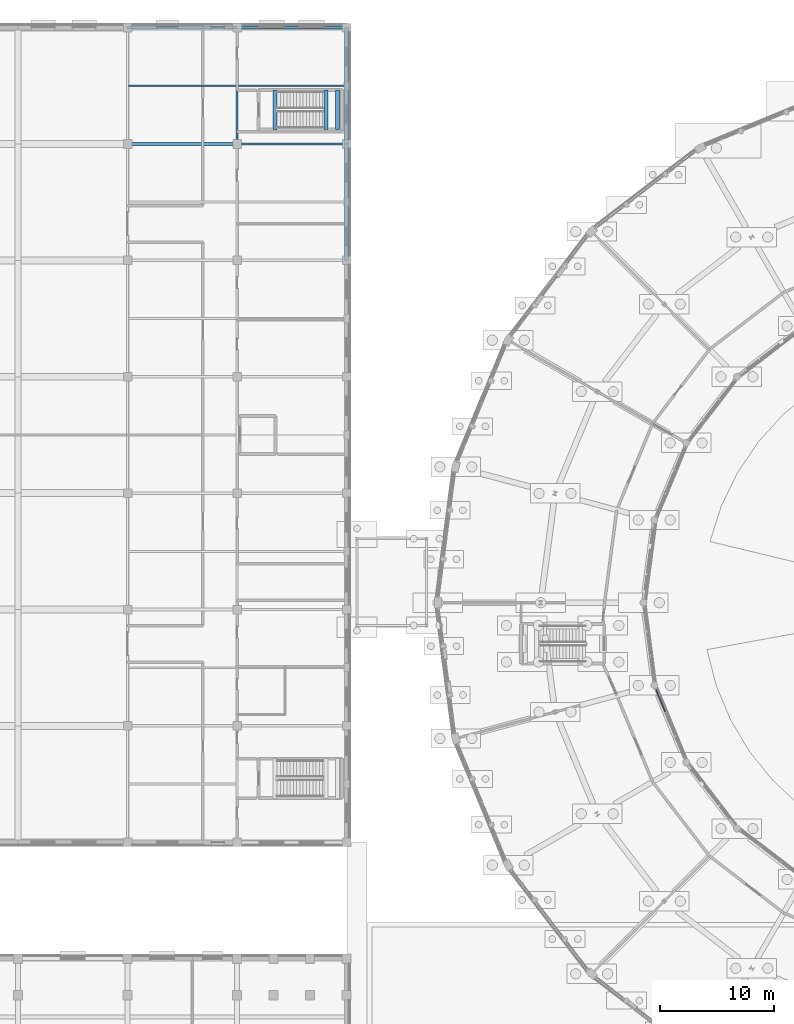
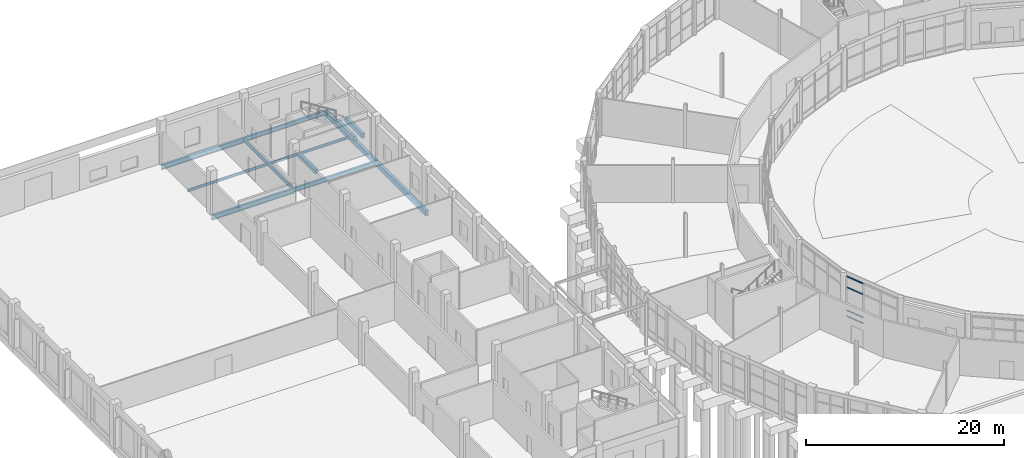
# One storey, part 52 of 137: 12 beams, 4 members, 1 element without a shape of its own.
"""IFC4 building model written with IfcOpenShell, lengths in metres."""

from ifc_helpers import new_model, si_unit, direction, frame, origin, origin_2d, place, context, subcontext, project, spatial, rectangle, hollow_rectangle, i_section, extrude, material, material_profile, profile_set, type_object, element, aggregate, save


model = new_model("IFC4")

# Units and contexts
model_context = context("Model", 3, precision=1e-05, world=origin(), true_north=direction((0.0, 1.0)))
body_context = subcontext(model_context, "Body", "Model", "MODEL_VIEW")
ifc_project = project(units=[si_unit("LENGTHUNIT", "METRE"), si_unit("AREAUNIT", "SQUARE_METRE"), si_unit("VOLUMEUNIT", "CUBIC_METRE"), si_unit("PLANEANGLEUNIT", "RADIAN"), si_unit("MASSUNIT", "GRAM", prefix="KILO")], contexts=[model_context])

# Site, building, storey
site_placement = place(None, origin())
site = spatial("IfcSite", under=ifc_project, at=site_placement, CompositionType="ELEMENT")
building_placement = place(site_placement, origin())
building = spatial("IfcBuilding", under=site, at=building_placement, Name="Vondelvale Polytechnic", CompositionType="ELEMENT")
storey_placement = place(building_placement, origin())
storey = spatial("IfcBuildingStorey", under=building, at=storey_placement, Name="L00", CompositionType="ELEMENT", Elevation=0.0)

# Beams
ifc_material_1 = material(Name="Concrete N40 (f'c = 40 MPa)", Category="concrete")
ifc_material_profile_1 = material_profile(ifc_material_1, rectangle(XDim=0.35009765625, YDim=0.550048828125, at=origin_2d()), Name="RC-BM-350x550")
ifc_profile_set_1 = profile_set([ifc_material_profile_1], Name="Concrete N40 (f'c = 40 MPa)")
beam_type_1 = type_object("IfcBeamType", Name="BM-RC350x550", PredefinedType="BEAM", material=ifc_profile_set_1)
for number, where, z_axis, x_axis, name in (
    (1, (46.199951171875, 113.449951171875, 2.22509765625), (0.0, 1.0, 0.0), (-1.0, 0.0, 0.0), "L00 STLD B-06"),
    (2, (47.199951171875, 113.449951171875, 2.22509765625), (0.0, 1.0, 0.0), (-1.0, 0.0, 0.0), "L00 STLD B-06"),
    (3, (41.72509765625, 113.449951171875, -0.27490234375), (0.0, 1.0, 0.0), (-1.0, 0.0, 0.0), "L00 STHD B-06"),
):
    element("IfcBeam", number, at=place(storey_placement, frame(where, z_axis=z_axis, x_axis=x_axis)), inside=storey, type_object=beam_type_1, Name=name, PredefinedType="BEAM", context=body_context, shape_type="SweptSolid", body=[
        extrude(rectangle(XDim=0.35009765625, YDim=0.550048828125, at=origin_2d()), origin(), (0.0, 0.0, 1.0), 3.5),
    ])
ifc_material_2 = material(Name="Steel 300PLUS (fy = 300 MPa)", Category="steel")
ifc_material_profile_2 = material_profile(ifc_material_2, i_section(OverallWidth=0.18994140625, OverallDepth=0.45703125, WebThickness=0.009033203125, FlangeThickness=0.014404296875, FilletRadius=0.011474609375, at=origin_2d()), Name="460UB74.6")
ifc_profile_set_2 = profile_set([ifc_material_profile_2], Name="Steel 300PLUS (fy = 300 MPa)")
beam_type_2 = type_object("IfcBeamType", Name="BM-UB460", PredefinedType="BEAM", material=ifc_profile_set_2)
beam_1_placement = place(storey_placement, frame((38.39990234375, 112.199951171875, -0.528564453125), z_axis=(0.0, 1.0, 0.0), x_axis=(-1.0, 0.0, 0.0)))
element("IfcBeam", 4, at=beam_1_placement, inside=storey, type_object=beam_type_2, Name="L00 B B-13", PredefinedType="BEAM", context=body_context, shape_type="SweptSolid", body=[
    extrude(i_section(OverallWidth=0.18994140625, OverallDepth=0.45703125, WebThickness=0.009033203125, FlangeThickness=0.014404296875, FilletRadius=0.011474609375, at=origin_2d()), origin(), (0.0, 0.0, 1.0), 10.199951171875),
])
ifc_material_profile_3 = material_profile(ifc_material_2, i_section(OverallWidth=0.208984375, OverallDepth=0.532958984375, WebThickness=0.01025390625, FlangeThickness=0.015625, FilletRadius=0.013916015625, at=origin_2d()), Name="530UB92.4")
ifc_profile_set_3 = profile_set([ifc_material_profile_3], Name="Steel 300PLUS (fy = 300 MPa)")
beam_type_3 = type_object("IfcBeamType", Name="BM-UB530", PredefinedType="BEAM", material=ifc_profile_set_3)
for number, where, z_axis, x_axis, name in (
    (5, (38.39990234375, 112.199951171875, -0.56640625), (1.0, 0.0, 0.0), (0.0, 1.0, 0.0), "L00 B B-11"),
    (6, (38.39990234375, 122.39990234375, -0.56640625), (1.0, 0.0, 0.0), (0.0, 1.0, 0.0), "L00 B B-11"),
):
    element("IfcBeam", number, at=place(storey_placement, frame(where, z_axis=z_axis, x_axis=x_axis)), inside=storey, type_object=beam_type_3, Name=name, PredefinedType="BEAM", context=body_context, shape_type="SweptSolid", body=[
        extrude(i_section(OverallWidth=0.208984375, OverallDepth=0.532958984375, WebThickness=0.01025390625, FlangeThickness=0.015625, FilletRadius=0.013916015625, at=origin_2d()), origin(), (0.0, 0.0, 1.0), 9.60009765625),
    ])
ifc_material_profile_4 = material_profile(ifc_material_2, i_section(OverallWidth=0.22900390625, OverallDepth=0.612060546875, WebThickness=0.011962890625, FlangeThickness=0.01953125, FilletRadius=0.013916015625, at=origin_2d()), Name="610UB125")
ifc_profile_set_4 = profile_set([ifc_material_profile_4], Name="Steel 300PLUS (fy = 300 MPa)")
beam_type_4 = type_object("IfcBeamType", Name="BM-UB610H", PredefinedType="BEAM", material=ifc_profile_set_4)
for number, where, z_axis, x_axis, name in (
    (7, (28.800048828125, 112.199951171875, -0.60595703125), (1.0, 0.0, 0.0), (0.0, 1.0, 0.0), "L00 B B-09"),
    (8, (28.800048828125, 122.39990234375, -0.60595703125), (1.0, 0.0, 0.0), (0.0, 1.0, 0.0), "L00 B B-09"),
):
    element("IfcBeam", number, at=place(storey_placement, frame(where, z_axis=z_axis, x_axis=x_axis)), inside=storey, type_object=beam_type_4, Name=name, PredefinedType="BEAM", context=body_context, shape_type="SweptSolid", body=[
        extrude(i_section(OverallWidth=0.22900390625, OverallDepth=0.612060546875, WebThickness=0.011962890625, FlangeThickness=0.01953125, FilletRadius=0.013916015625, at=origin_2d()), origin(), (0.0, 0.0, 1.0), 9.599853515625),
    ])

# Curtain wall, members
ifc_material_3 = material(Name="Anodised extruded aluminium 6063-T6", Category="aluminium")
curtain_wall_type = type_object("IfcCurtainWallType", Name="CW-RING-CLOISTER", PredefinedType="NOTDEFINED", material=ifc_material_3)
curtain_wall_placement = place(storey_placement, origin())
curtain_wall = element("IfcCurtainWall", 9, at=curtain_wall_placement, inside=storey, type_object=curtain_wall_type, Name="L00 architectural curtain wall CW-03-275", PredefinedType="NOTDEFINED")
ifc_material_profile_5 = material_profile(ifc_material_3, hollow_rectangle(XDim=0.06494140625, YDim=0.159912109375, WallThickness=0.00341796875, at=origin_2d()), Name="CW-TRN-160x65")
ifc_profile_set_5 = profile_set([ifc_material_profile_5], Name="Anodised extruded aluminium 6063-T6")
member_type = type_object("IfcMemberType", Name="CW-TRN-70x160", PredefinedType="USERDEFINED", material=ifc_profile_set_5)
member_1_placement = place(storey_placement, frame((75.107177734375, 64.383544921875, 0.032470703125), z_axis=(0.382726229306, -0.923861804277, 0.0), x_axis=(0.923861804277, 0.382726229306, 0.0)))
member_1 = element("IfcMember", 10, at=member_1_placement, type_object=member_type, Name="CW-03-275 transom 1.1", ObjectType="TRANSOM", PredefinedType="USERDEFINED", context=body_context, shape_type="SweptSolid", body=[
    extrude(hollow_rectangle(XDim=0.06494140625, YDim=0.159912109375, WallThickness=0.00341796875, at=origin_2d()), origin(), (0.0, 0.0, 1.0), 2.111328125),
])
member_2_placement = place(storey_placement, frame((75.107177734375, 64.383544921875, 0.75), z_axis=(0.382726229306, -0.923861804277, 0.0), x_axis=(0.923861804277, 0.382726229306, 0.0)))
member_2 = element("IfcMember", 11, at=member_2_placement, type_object=member_type, Name="CW-03-275 transom 1.2", ObjectType="TRANSOM", PredefinedType="USERDEFINED", context=body_context, shape_type="SweptSolid", body=[
    extrude(hollow_rectangle(XDim=0.06494140625, YDim=0.159912109375, WallThickness=0.00341796875, at=origin_2d()), origin(), (0.0, 0.0, 1.0), 2.111328125),
])
member_3_placement = place(storey_placement, frame((75.107177734375, 64.383544921875, 3.60009765625), z_axis=(0.382726229306, -0.923861804277, 0.0), x_axis=(0.923861804277, 0.382726229306, 0.0)))
member_3 = element("IfcMember", 12, at=member_3_placement, type_object=member_type, Name="CW-03-275 transom 1.3", ObjectType="TRANSOM", PredefinedType="USERDEFINED", context=body_context, shape_type="SweptSolid", body=[
    extrude(hollow_rectangle(XDim=0.06494140625, YDim=0.159912109375, WallThickness=0.00341796875, at=origin_2d()), origin(), (0.0, 0.0, 1.0), 2.111328125),
])
member_4_placement = place(storey_placement, frame((75.107177734375, 64.383544921875, 4.91748046875), z_axis=(0.382726229306, -0.923861804277, 0.0), x_axis=(0.923861804277, 0.382726229306, 0.0)))
member_4 = element("IfcMember", 13, at=member_4_placement, type_object=member_type, Name="CW-03-275 transom 1.4", ObjectType="TRANSOM", PredefinedType="USERDEFINED", context=body_context, shape_type="SweptSolid", body=[
    extrude(hollow_rectangle(XDim=0.06494140625, YDim=0.159912109375, WallThickness=0.00341796875, at=origin_2d()), origin(), (0.0, 0.0, 1.0), 2.111328125),
])
aggregate(curtain_wall, [member_1, member_2, member_3, member_4])

# Beams
ifc_material_profile_6 = material_profile(ifc_material_2, i_section(OverallWidth=0.1650390625, OverallDepth=0.303955078125, WebThickness=0.006103515625, FlangeThickness=0.01025390625, FilletRadius=0.011474609375, at=origin_2d()), Name="310UB40.4")
ifc_profile_set_6 = profile_set([ifc_material_profile_6], Name="Steel 300PLUS (fy = 300 MPa)")
beam_type_5 = type_object("IfcBeamType", Name="JST-UB310", PredefinedType="JOIST", material=ifc_profile_set_6)
beam_2_placement = place(storey_placement, frame((28.89990234375, 117.300048828125, -0.451904296875), z_axis=(1.0, 0.0, 0.0), x_axis=(0.0, 1.0, 0.0)))
element("IfcBeam", 14, at=beam_2_placement, inside=storey, type_object=beam_type_5, Name="L00 J J-05", PredefinedType="JOIST", context=body_context, shape_type="SweptSolid", body=[
    extrude(i_section(OverallWidth=0.1650390625, OverallDepth=0.303955078125, WebThickness=0.006103515625, FlangeThickness=0.01025390625, FilletRadius=0.011474609375, at=origin_2d()), origin(), (0.0, 0.0, 1.0), 9.400146484375),
])
beam_3_placement = place(storey_placement, frame((38.5, 117.300048828125, -0.451904296875), z_axis=(1.0, 0.0, 0.0), x_axis=(0.0, 1.0, 0.0)))
element("IfcBeam", 15, at=beam_3_placement, inside=storey, type_object=beam_type_5, Name="L00 J J-05", PredefinedType="JOIST", context=body_context, shape_type="SweptSolid", body=[
    extrude(i_section(OverallWidth=0.1650390625, OverallDepth=0.303955078125, WebThickness=0.006103515625, FlangeThickness=0.01025390625, FilletRadius=0.011474609375, at=origin_2d()), origin(), (0.0, 0.0, 1.0), 9.320068359375),
])
ifc_material_4 = material(Name="Precast concrete N40 (f'c = 40 MPa)", Category="concrete")
ifc_material_profile_7 = material_profile(ifc_material_4, rectangle(XDim=0.35009765625, YDim=0.64990234375, at=origin_2d()), Name="RC-SPN-350x650")
ifc_profile_set_7 = profile_set([ifc_material_profile_7], Name="Precast concrete N40 (f'c = 40 MPa)")
beam_type_6 = type_object("IfcBeamType", Name="SPN-PRE350x650", PredefinedType="SPANDREL", material=ifc_profile_set_7)
for number, where, z_axis, x_axis, name in (
    (16, (48.0, 102.0, -0.625), (0.0, 1.0, 0.0), (-1.0, 0.0, 0.0), "L00 B SP-02"),
    (17, (48.0, 112.199951171875, -0.625), (0.0, 1.0, 0.0), (-1.0, 0.0, 0.0), "L00 B SP-02"),
):
    element("IfcBeam", number, at=place(storey_placement, frame(where, z_axis=z_axis, x_axis=x_axis)), inside=storey, type_object=beam_type_6, Name=name, PredefinedType="SPANDREL", context=body_context, shape_type="SweptSolid", body=[
        extrude(rectangle(XDim=0.35009765625, YDim=0.64990234375, at=origin_2d()), origin(), (0.0, 0.0, 1.0), 10.199951171875),
    ])

save(model, "model.ifc")
